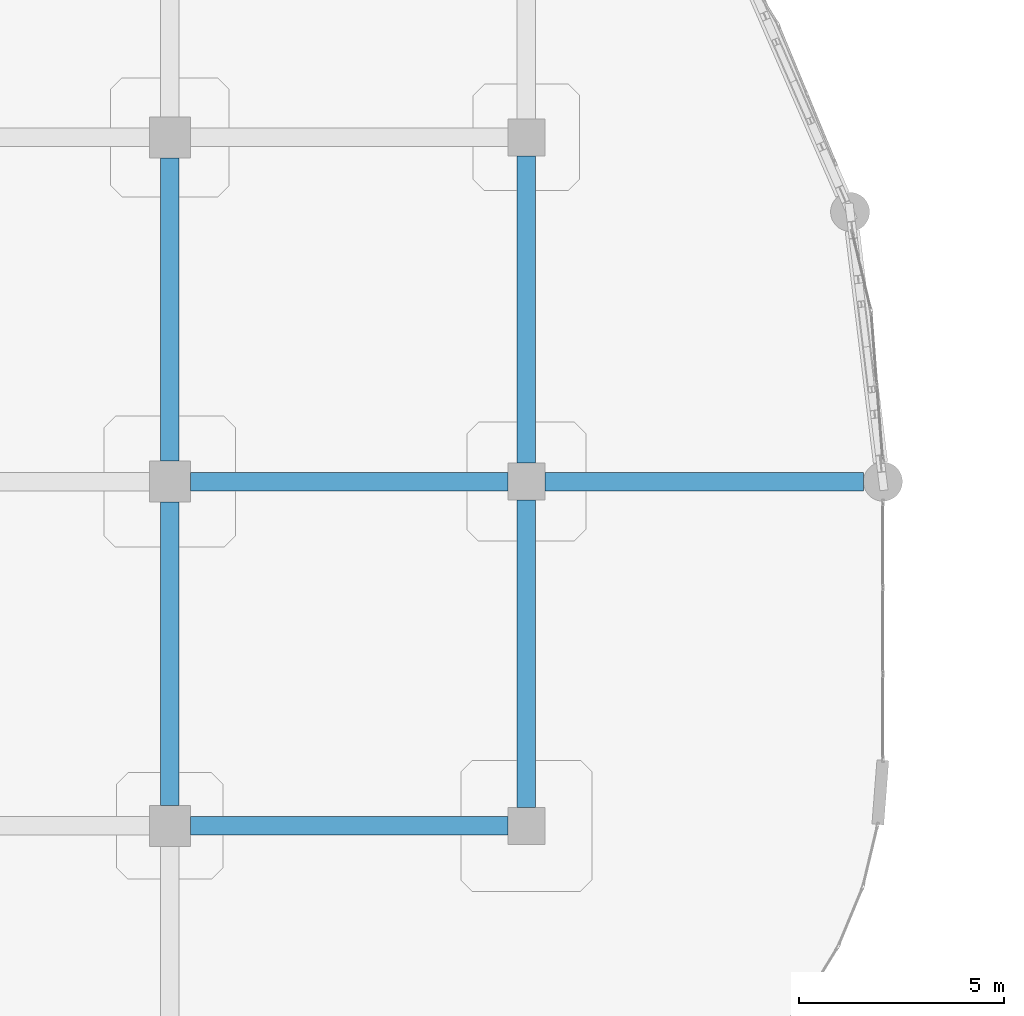
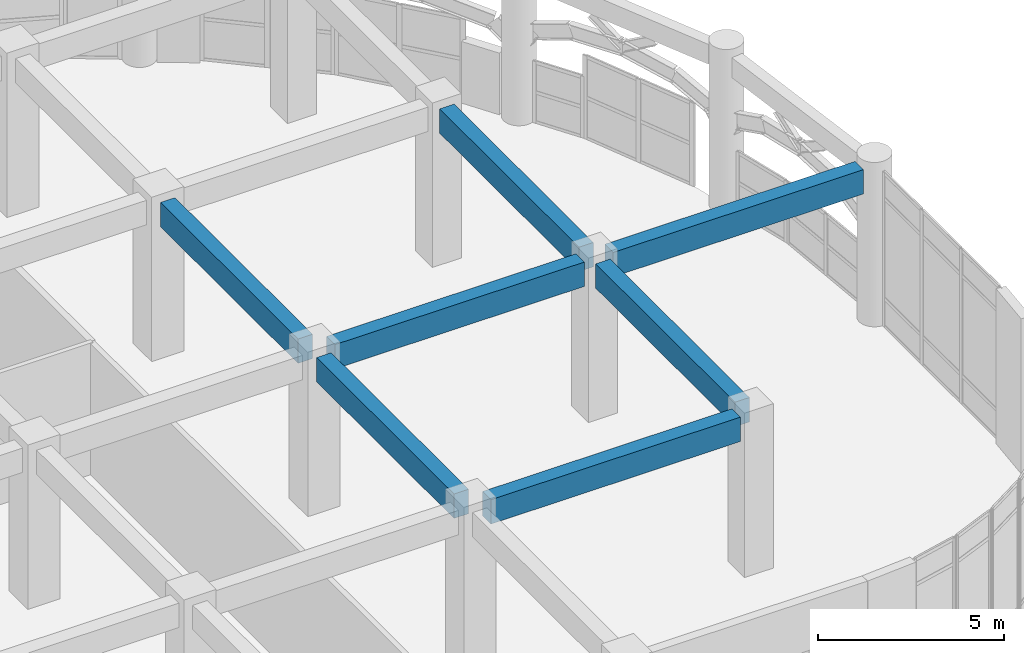
# One storey, part 72 of 114: 7 beams.
"""IFC4 building model written with IfcOpenShell, lengths in metres."""

from ifc_helpers import new_model, si_unit, derived_unit, direction, frame, origin, origin_2d, place, context, subcontext, project, spatial, rectangle, extrude, material, material_profile, profile_set, type_object, element, save


model = new_model("IFC4")

# Units and contexts
model_context = context("Model", 3, precision=1e-05, world=origin(), true_north=direction((0.0, 1.0)))
body_context = subcontext(model_context, "Body", "Model", "MODEL_VIEW")
ifc_project = project(units=[si_unit("LENGTHUNIT", "METRE"), si_unit("AREAUNIT", "SQUARE_METRE"), si_unit("VOLUMEUNIT", "CUBIC_METRE"), si_unit("PLANEANGLEUNIT", "RADIAN"), si_unit("MASSUNIT", "GRAM", prefix="KILO"), derived_unit("THERMALTRANSMITTANCEUNIT", [(si_unit("MASSUNIT", "GRAM", prefix="KILO"), 1), (si_unit("TIMEUNIT", "SECOND"), -3), (si_unit("THERMODYNAMICTEMPERATUREUNIT", "KELVIN"), -1)])], contexts=[model_context])

# Site, building, storey
site_placement = place(None, origin())
site = spatial("IfcSite", under=ifc_project, at=site_placement, CompositionType="ELEMENT")
building_placement = place(site_placement, origin())
building = spatial("IfcBuilding", under=site, at=building_placement, Name="Qinzheling Arcade Emporium", CompositionType="ELEMENT")
storey_placement = place(building_placement, frame((0.0, 0.0, 6.0)))
storey = spatial("IfcBuildingStorey", under=building, at=storey_placement, Name="L02", CompositionType="ELEMENT", Elevation=6.0)

# Beams
ifc_material = material(Name="Concrete C40", Category="concrete")
ifc_material_profile = material_profile(ifc_material, rectangle(XDim=0.449951171875, YDim=0.800048828125, at=origin_2d()), Name="RC 450x800", Category="concrete")
ifc_profile_set = profile_set([ifc_material_profile], Name="Concrete C40")
beam_type = type_object("IfcBeamType", Name="RC Primary Frame Beam 450x800 C40", PredefinedType="BEAM", material=ifc_profile_set)
for number, where, z_axis, x_axis, name in (
    (1, (131.0, 82.199951171875, 4.735107421875), (1.0, 0.0, 0.0), (0.0, 1.0, 0.0), "Beam BM-L02-X-K-16"),
    (2, (131.0, 90.60009765625, 4.735107421875), (1.0, 0.0, 0.0), (0.0, 1.0, 0.0), "Beam BM-L02-X-L-16"),
):
    element("IfcBeam", number, at=place(storey_placement, frame(where, z_axis=z_axis, x_axis=x_axis)), inside=storey, type_object=beam_type, Name=name, PredefinedType="BEAM", context=body_context, shape_type="SweptSolid", body=[
        extrude(rectangle(XDim=0.449951171875, YDim=0.800048828125, at=origin_2d()), origin(), (0.0, 0.0, 1.0), 7.75),
    ])
beam_1_placement = place(storey_placement, frame((139.64990234375, 90.60009765625, 4.735107421875), z_axis=(1.0, 0.0, 0.0), x_axis=(0.0, 1.0, 0.0)))
element("IfcBeam", 3, at=beam_1_placement, inside=storey, type_object=beam_type, Name="Beam BM-L02-X-L-17", PredefinedType="BEAM", context=body_context, shape_type="SweptSolid", body=[
    extrude(rectangle(XDim=0.449951171875, YDim=0.800048828125, at=origin_2d()), origin(), (0.0, 0.0, 1.0), 7.775146484375),
])
beam_2_placement = place(storey_placement, frame((130.5, 82.699951171875, 4.735107421875), z_axis=(0.0, 1.0, 0.0), x_axis=(-1.0, 0.0, 0.0)))
element("IfcBeam", 4, at=beam_2_placement, inside=storey, type_object=beam_type, Name="Beam BM-L02-Y-16-K", PredefinedType="BEAM", context=body_context, shape_type="SweptSolid", body=[
    extrude(rectangle(XDim=0.449951171875, YDim=0.800048828125, at=origin_2d()), origin(), (0.0, 0.0, 1.0), 7.400146484375),
])
beam_3_placement = place(storey_placement, frame((130.5, 91.10009765625, 4.735107421875), z_axis=(0.0, 1.0, 0.0), x_axis=(-1.0, 0.0, 0.0)))
element("IfcBeam", 5, at=beam_3_placement, inside=storey, type_object=beam_type, Name="Beam BM-L02-Y-16-L", PredefinedType="BEAM", context=body_context, shape_type="SweptSolid", body=[
    extrude(rectangle(XDim=0.449951171875, YDim=0.800048828125, at=origin_2d()), origin(), (0.0, 0.0, 1.0), 7.39990234375),
])
for number, where, z_axis, x_axis, name in (
    (6, (139.199951171875, 82.64990234375, 4.735107421875), (0.0, 1.0, 0.0), (-1.0, 0.0, 0.0), "Beam BM-L02-Y-17-K"),
    (7, (139.199951171875, 91.050048828125, 4.735107421875), (0.0, 1.0, 0.0), (-1.0, 0.0, 0.0), "Beam BM-L02-Y-17-L"),
):
    element("IfcBeam", number, at=place(storey_placement, frame(where, z_axis=z_axis, x_axis=x_axis)), inside=storey, type_object=beam_type, Name=name, PredefinedType="BEAM", context=body_context, shape_type="SweptSolid", body=[
        extrude(rectangle(XDim=0.449951171875, YDim=0.800048828125, at=origin_2d()), origin(), (0.0, 0.0, 1.0), 7.5),
    ])

save(model, "model.ifc")
